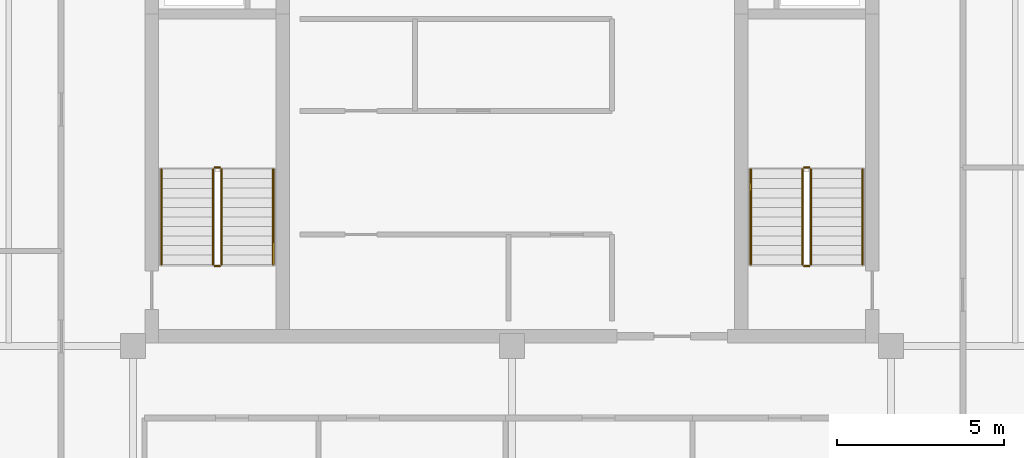
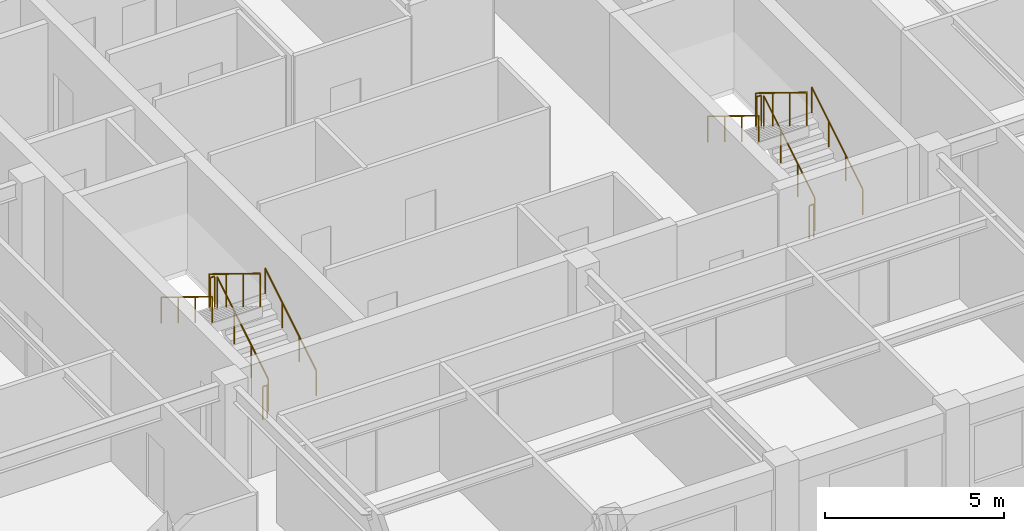
# One storey, part 9 of 9: 12 railings.
"""IFC4 building model written with IfcOpenShell, lengths in metres."""

from ifc_helpers import new_model, si_unit, direction, frame, origin, origin_2d, place, context, subcontext, project, spatial, circle, extrude, material, type_object, element, save


model = new_model("IFC4")

# Units and contexts
model_context = context("Model", 3, precision=1e-05, world=origin(), true_north=direction((0.0, 1.0)))
body_context = subcontext(model_context, "Body", "Model", "MODEL_VIEW")
ifc_project = project(units=[si_unit("LENGTHUNIT", "METRE"), si_unit("AREAUNIT", "SQUARE_METRE"), si_unit("VOLUMEUNIT", "CUBIC_METRE"), si_unit("PLANEANGLEUNIT", "RADIAN"), si_unit("MASSUNIT", "GRAM", prefix="KILO")], contexts=[model_context])

# Site, building, storey
site_placement = place(None, origin())
site = spatial("IfcSite", under=ifc_project, at=site_placement, CompositionType="ELEMENT")
building_placement = place(site_placement, origin())
building = spatial("IfcBuilding", under=site, at=building_placement, Name="Nhamokura Convention Tower", CompositionType="ELEMENT")
storey_placement = place(building_placement, frame((0.0, 0.0, 269.85009765625)))
storey = spatial("IfcBuildingStorey", under=building, at=storey_placement, Name="L66", CompositionType="ELEMENT", Elevation=269.85009765625)

# Railings
ifc_material_1 = material(Name="Anodised bronze stainless steel", Category="steel")
railing_type_1 = type_object("IfcRailingType", Name="StairWallHandrail_900", PredefinedType="HANDRAIL", material=ifc_material_1)
railing_1_placement = place(storey_placement, frame((24.85009765625, 23.10009765625, 0.1748046875)))
element("IfcRailing", 1, at=railing_1_placement, inside=storey, type_object=railing_type_1, Name="L66 ST-01 stair handrail 1", PredefinedType="HANDRAIL", context=body_context, shape_type="SweptSolid", body=[
    extrude(circle(Radius=0.02392578125, at=origin_2d()), frame((0.0, 0.0, 0.8759765625), z_axis=(0.0, 0.852159232446, 0.523282564737), x_axis=(-1.0, 0.0, 0.0)), (0.0, 0.0, 1.0), 3.34423828125),
    extrude(circle(Radius=0.02099609375, at=origin_2d()), origin(), (0.0, 0.0, 1.0), 0.851806640625),
    extrude(circle(Radius=0.02099609375, at=origin_2d()), frame((0.0, 0.949951171875, 0.583251953125)), (0.0, 0.0, 1.0), 0.851806640625),
    extrude(circle(Radius=0.02099609375, at=origin_2d()), frame((0.0, 1.89990234375, 1.166748046875)), (0.0, 0.0, 1.0), 0.851806640625),
    extrude(circle(Radius=0.02099609375, at=origin_2d()), frame((0.0, 2.849853515625, 1.75)), (0.0, 0.0, 1.0), 0.851806640625),
])
railing_2_placement = place(storey_placement, frame((21.5, 25.949951171875, 2.099853515625)))
element("IfcRailing", 2, at=railing_2_placement, inside=storey, type_object=railing_type_1, Name="L66 ST-01 stair handrail 2", PredefinedType="HANDRAIL", context=body_context, shape_type="SweptSolid", body=[
    extrude(circle(Radius=0.02392578125, at=origin_2d()), frame((0.0, 0.0, 0.8759765625), z_axis=(0.0, -0.852159232446, 0.523282564737), x_axis=(1.0, 0.0, 0.0)), (0.0, 0.0, 1.0), 3.34423828125),
    extrude(circle(Radius=0.02099609375, at=origin_2d()), origin(), (0.0, 0.0, 1.0), 0.851806640625),
    extrude(circle(Radius=0.02099609375, at=origin_2d()), frame((0.0, -0.949951171875, 0.583251953125)), (0.0, 0.0, 1.0), 0.851806640625),
    extrude(circle(Radius=0.02099609375, at=origin_2d()), frame((0.0, -1.89990234375, 1.166748046875)), (0.0, 0.0, 1.0), 0.851806640625),
    extrude(circle(Radius=0.02099609375, at=origin_2d()), frame((0.0, -2.849853515625, 1.75)), (0.0, 0.0, 1.0), 0.851806640625),
])
railing_3_placement = place(storey_placement, frame((42.5, 23.10009765625, 0.1748046875)))
element("IfcRailing", 3, at=railing_3_placement, inside=storey, type_object=railing_type_1, Name="L66 ST-02 stair handrail 1", PredefinedType="HANDRAIL", context=body_context, shape_type="SweptSolid", body=[
    extrude(circle(Radius=0.02392578125, at=origin_2d()), frame((0.0, 0.0, 0.8759765625), z_axis=(0.0, 0.852159232446, 0.523282564737), x_axis=(-1.0, 0.0, 0.0)), (0.0, 0.0, 1.0), 3.34423828125),
    extrude(circle(Radius=0.02099609375, at=origin_2d()), origin(), (0.0, 0.0, 1.0), 0.851806640625),
    extrude(circle(Radius=0.02099609375, at=origin_2d()), frame((0.0, 0.949951171875, 0.583251953125)), (0.0, 0.0, 1.0), 0.851806640625),
    extrude(circle(Radius=0.02099609375, at=origin_2d()), frame((0.0, 1.89990234375, 1.166748046875)), (0.0, 0.0, 1.0), 0.851806640625),
    extrude(circle(Radius=0.02099609375, at=origin_2d()), frame((0.0, 2.849853515625, 1.75)), (0.0, 0.0, 1.0), 0.851806640625),
])
railing_4_placement = place(storey_placement, frame((39.14990234375, 25.949951171875, 2.099853515625)))
element("IfcRailing", 4, at=railing_4_placement, inside=storey, type_object=railing_type_1, Name="L66 ST-02 stair handrail 2", PredefinedType="HANDRAIL", context=body_context, shape_type="SweptSolid", body=[
    extrude(circle(Radius=0.02392578125, at=origin_2d()), frame((0.0, 0.0, 0.8759765625), z_axis=(0.0, -0.852159232446, 0.523282564737), x_axis=(1.0, 0.0, 0.0)), (0.0, 0.0, 1.0), 3.34423828125),
    extrude(circle(Radius=0.02099609375, at=origin_2d()), origin(), (0.0, 0.0, 1.0), 0.851806640625),
    extrude(circle(Radius=0.02099609375, at=origin_2d()), frame((0.0, -0.949951171875, 0.583251953125)), (0.0, 0.0, 1.0), 0.851806640625),
    extrude(circle(Radius=0.02099609375, at=origin_2d()), frame((0.0, -1.89990234375, 1.166748046875)), (0.0, 0.0, 1.0), 0.851806640625),
    extrude(circle(Radius=0.02099609375, at=origin_2d()), frame((0.0, -2.849853515625, 1.75)), (0.0, 0.0, 1.0), 0.851806640625),
])
ifc_material_2 = material(Name="Painted tubular steel", Category="steel")
railing_type_2 = type_object("IfcRailingType", Name="StairWellGuardrail_1150", PredefinedType="GUARDRAIL", material=ifc_material_2)
railing_5_placement = place(storey_placement, frame((23.300048828125, 23.10009765625, 0.1748046875)))
element("IfcRailing", 5, at=railing_5_placement, inside=storey, type_object=railing_type_2, Name="L66 ST-01 stair guard 1", PredefinedType="GUARDRAIL", context=body_context, shape_type="SweptSolid", body=[
    extrude(circle(Radius=0.02392578125, at=origin_2d()), frame((0.0, 0.0, 1.1259765625), z_axis=(0.0, 0.852159232446, 0.523282564737), x_axis=(-1.0, 0.0, 0.0)), (0.0, 0.0, 1.0), 3.34423828125),
    extrude(circle(Radius=0.02099609375, at=origin_2d()), origin(), (0.0, 0.0, 1.0), 1.101806640625),
    extrude(circle(Radius=0.02099609375, at=origin_2d()), frame((0.0, 0.949951171875, 0.583251953125)), (0.0, 0.0, 1.0), 1.101806640625),
    extrude(circle(Radius=0.02099609375, at=origin_2d()), frame((0.0, 1.89990234375, 1.166748046875)), (0.0, 0.0, 1.0), 1.101806640625),
    extrude(circle(Radius=0.02099609375, at=origin_2d()), frame((0.0, 2.849853515625, 1.75)), (0.0, 0.0, 1.0), 1.101806640625),
])
railing_6_placement = place(storey_placement, frame((23.25, 26.0, 1.9248046875)))
element("IfcRailing", 6, at=railing_6_placement, inside=storey, type_object=railing_type_2, Name="L66 ST-01 stair guard 2", PredefinedType="GUARDRAIL", context=body_context, shape_type="SweptSolid", body=[
    extrude(circle(Radius=0.02392578125, at=origin_2d()), frame((0.0, 0.0, 1.1259765625), z_axis=(-1.0, 0.0, 0.0), x_axis=(0.0, -1.0, 0.0)), (0.0, 0.0, 1.0), 0.14990234375),
    extrude(circle(Radius=0.02099609375, at=origin_2d()), origin(), (0.0, 0.0, 1.0), 1.101806640625),
    extrude(circle(Radius=0.02099609375, at=origin_2d()), frame((-0.14990234375, 0.0, 0.0)), (0.0, 0.0, 1.0), 1.101806640625),
])
railing_7_placement = place(storey_placement, frame((23.050048828125, 25.949951171875, 2.099853515625)))
element("IfcRailing", 7, at=railing_7_placement, inside=storey, type_object=railing_type_2, Name="L66 ST-01 stair guard 3", PredefinedType="GUARDRAIL", context=body_context, shape_type="SweptSolid", body=[
    extrude(circle(Radius=0.02392578125, at=origin_2d()), frame((0.0, 0.0, 1.1259765625), z_axis=(0.0, -0.852159232446, 0.523282564737), x_axis=(1.0, 0.0, 0.0)), (0.0, 0.0, 1.0), 3.34423828125),
    extrude(circle(Radius=0.02099609375, at=origin_2d()), origin(), (0.0, 0.0, 1.0), 1.101806640625),
    extrude(circle(Radius=0.02099609375, at=origin_2d()), frame((0.0, -0.949951171875, 0.583251953125)), (0.0, 0.0, 1.0), 1.101806640625),
    extrude(circle(Radius=0.02099609375, at=origin_2d()), frame((0.0, -1.89990234375, 1.166748046875)), (0.0, 0.0, 1.0), 1.101806640625),
    extrude(circle(Radius=0.02099609375, at=origin_2d()), frame((0.0, -2.849853515625, 1.75)), (0.0, 0.0, 1.0), 1.101806640625),
])
railing_8_placement = place(storey_placement, frame((23.25, 23.050048828125, 0.0)))
element("IfcRailing", 8, at=railing_8_placement, inside=storey, type_object=railing_type_2, Name="L66 ST-01 stair guard 4", PredefinedType="GUARDRAIL", context=body_context, shape_type="SweptSolid", body=[
    extrude(circle(Radius=0.02392578125, at=origin_2d()), frame((0.0, 0.0, 1.1259765625), z_axis=(-1.0, 0.0, 0.0), x_axis=(0.0, -1.0, 0.0)), (0.0, 0.0, 1.0), 0.14990234375),
    extrude(circle(Radius=0.02099609375, at=origin_2d()), origin(), (0.0, 0.0, 1.0), 1.101806640625),
    extrude(circle(Radius=0.02099609375, at=origin_2d()), frame((-0.14990234375, 0.0, 0.0)), (0.0, 0.0, 1.0), 1.101806640625),
])
railing_9_placement = place(storey_placement, frame((40.949951171875, 23.10009765625, 0.1748046875)))
element("IfcRailing", 9, at=railing_9_placement, inside=storey, type_object=railing_type_2, Name="L66 ST-02 stair guard 1", PredefinedType="GUARDRAIL", context=body_context, shape_type="SweptSolid", body=[
    extrude(circle(Radius=0.02392578125, at=origin_2d()), frame((0.0, 0.0, 1.1259765625), z_axis=(0.0, 0.852159232446, 0.523282564737), x_axis=(-1.0, 0.0, 0.0)), (0.0, 0.0, 1.0), 3.34423828125),
    extrude(circle(Radius=0.02099609375, at=origin_2d()), origin(), (0.0, 0.0, 1.0), 1.101806640625),
    extrude(circle(Radius=0.02099609375, at=origin_2d()), frame((0.0, 0.949951171875, 0.583251953125)), (0.0, 0.0, 1.0), 1.101806640625),
    extrude(circle(Radius=0.02099609375, at=origin_2d()), frame((0.0, 1.89990234375, 1.166748046875)), (0.0, 0.0, 1.0), 1.101806640625),
    extrude(circle(Radius=0.02099609375, at=origin_2d()), frame((0.0, 2.849853515625, 1.75)), (0.0, 0.0, 1.0), 1.101806640625),
])
railing_10_placement = place(storey_placement, frame((40.89990234375, 26.0, 1.9248046875)))
element("IfcRailing", 10, at=railing_10_placement, inside=storey, type_object=railing_type_2, Name="L66 ST-02 stair guard 2", PredefinedType="GUARDRAIL", context=body_context, shape_type="SweptSolid", body=[
    extrude(circle(Radius=0.02392578125, at=origin_2d()), frame((0.0, 0.0, 1.1259765625), z_axis=(-1.0, 0.0, 0.0), x_axis=(0.0, -1.0, 0.0)), (0.0, 0.0, 1.0), 0.14990234375),
    extrude(circle(Radius=0.02099609375, at=origin_2d()), origin(), (0.0, 0.0, 1.0), 1.101806640625),
    extrude(circle(Radius=0.02099609375, at=origin_2d()), frame((-0.14990234375, 0.0, 0.0)), (0.0, 0.0, 1.0), 1.101806640625),
])
railing_11_placement = place(storey_placement, frame((40.699951171875, 25.949951171875, 2.099853515625)))
element("IfcRailing", 11, at=railing_11_placement, inside=storey, type_object=railing_type_2, Name="L66 ST-02 stair guard 3", PredefinedType="GUARDRAIL", context=body_context, shape_type="SweptSolid", body=[
    extrude(circle(Radius=0.02392578125, at=origin_2d()), frame((0.0, 0.0, 1.1259765625), z_axis=(0.0, -0.852159232446, 0.523282564737), x_axis=(1.0, 0.0, 0.0)), (0.0, 0.0, 1.0), 3.34423828125),
    extrude(circle(Radius=0.02099609375, at=origin_2d()), origin(), (0.0, 0.0, 1.0), 1.101806640625),
    extrude(circle(Radius=0.02099609375, at=origin_2d()), frame((0.0, -0.949951171875, 0.583251953125)), (0.0, 0.0, 1.0), 1.101806640625),
    extrude(circle(Radius=0.02099609375, at=origin_2d()), frame((0.0, -1.89990234375, 1.166748046875)), (0.0, 0.0, 1.0), 1.101806640625),
    extrude(circle(Radius=0.02099609375, at=origin_2d()), frame((0.0, -2.849853515625, 1.75)), (0.0, 0.0, 1.0), 1.101806640625),
])
railing_12_placement = place(storey_placement, frame((40.89990234375, 23.050048828125, 0.0)))
element("IfcRailing", 12, at=railing_12_placement, inside=storey, type_object=railing_type_2, Name="L66 ST-02 stair guard 4", PredefinedType="GUARDRAIL", context=body_context, shape_type="SweptSolid", body=[
    extrude(circle(Radius=0.02392578125, at=origin_2d()), frame((0.0, 0.0, 1.1259765625), z_axis=(-1.0, 0.0, 0.0), x_axis=(0.0, -1.0, 0.0)), (0.0, 0.0, 1.0), 0.14990234375),
    extrude(circle(Radius=0.02099609375, at=origin_2d()), origin(), (0.0, 0.0, 1.0), 1.101806640625),
    extrude(circle(Radius=0.02099609375, at=origin_2d()), frame((-0.14990234375, 0.0, 0.0)), (0.0, 0.0, 1.0), 1.101806640625),
])

save(model, "model.ifc")
